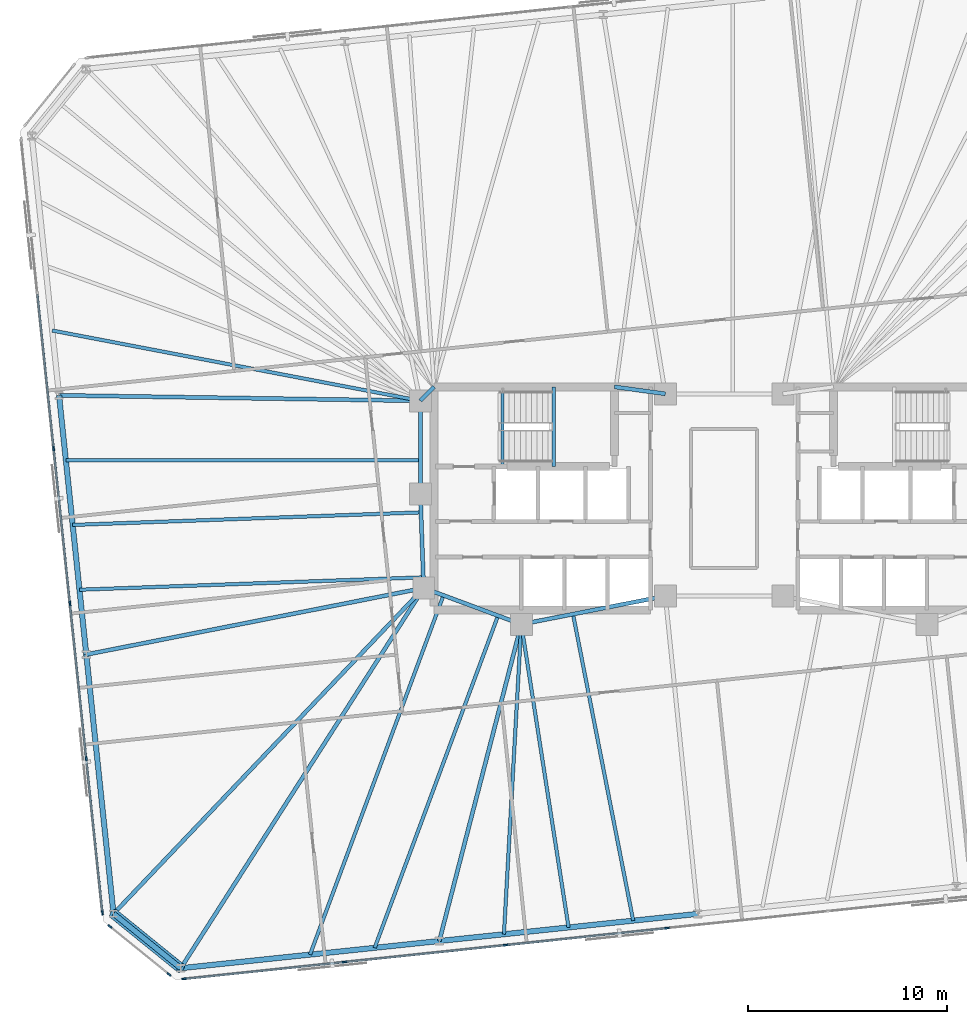
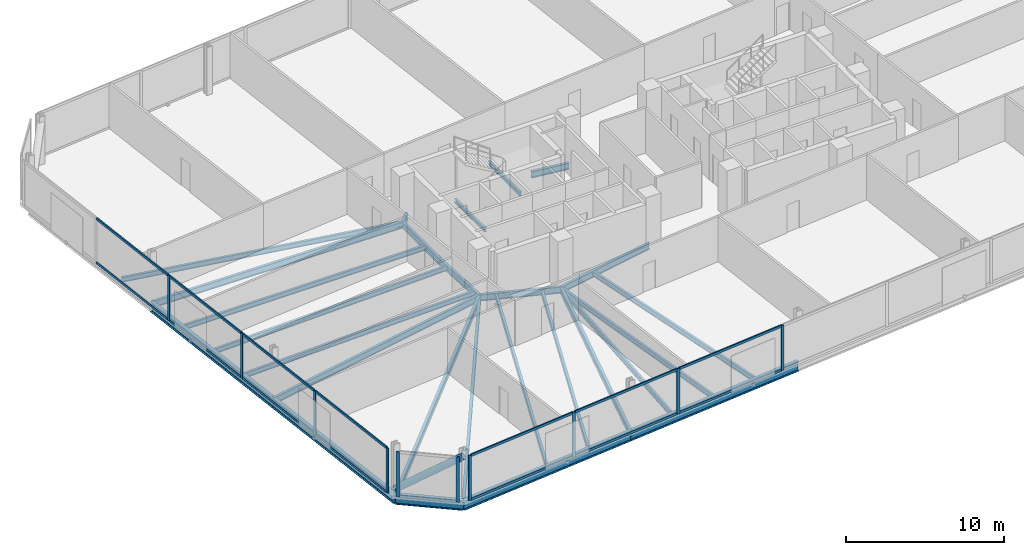
# One storey, part 6 of 18: 27 beams, 25 members, 3 elements without a shape of their own.
"""IFC4 building model written with IfcOpenShell, lengths in metres."""

from ifc_helpers import new_model, si_unit, direction, frame, origin, origin_2d, place, context, subcontext, project, spatial, rectangle, hollow_circle, i_section, extrude, material, material_profile, profile_set, type_object, element, aggregate, save


model = new_model("IFC4")

# Units and contexts
model_context = context("Model", 3, precision=1e-05, world=origin(), true_north=direction((0.0, 1.0)))
body_context = subcontext(model_context, "Body", "Model", "MODEL_VIEW")
ifc_project = project(units=[si_unit("LENGTHUNIT", "METRE"), si_unit("AREAUNIT", "SQUARE_METRE"), si_unit("VOLUMEUNIT", "CUBIC_METRE"), si_unit("PLANEANGLEUNIT", "RADIAN"), si_unit("MASSUNIT", "GRAM", prefix="KILO")], contexts=[model_context])

# Site, building, storey
site_placement = place(None, origin())
site = spatial("IfcSite", under=ifc_project, at=site_placement, CompositionType="ELEMENT")
building_placement = place(site_placement, origin())
building = spatial("IfcBuilding", under=site, at=building_placement, Name="Menara Jurai Vektor", CompositionType="ELEMENT")
storey_placement = place(building_placement, frame((0.0, 0.0, 120.699951171875)))
storey = spatial("IfcBuildingStorey", under=building, at=storey_placement, Name="L30", CompositionType="ELEMENT", Elevation=120.699951171875)

# Curtain wall, members
ifc_material_1 = material(Name="Anodised Pale Aluminium & Low-E Double Glazing", Category="aluminium")
curtain_wall_type = type_object("IfcCurtainWallType", Name="CW-BLK2", PredefinedType="NOTDEFINED", material=ifc_material_1)
curtain_wall_1_placement = place(storey_placement, origin())
curtain_wall_1 = element("IfcCurtainWall", 1, at=curtain_wall_1_placement, inside=storey, type_object=curtain_wall_type, Name="Unitised Curtain Wall L30 F01", PredefinedType="NOTDEFINED")
ifc_material_2 = material(Name="Anodised Pale Aluminium Mullion", Category="aluminium")
ifc_material_profile_1 = material_profile(ifc_material_2, rectangle(XDim=0.090087890625, YDim=0.219970703125, at=origin_2d()), Name="ALU MUL 90x220")
ifc_profile_set_1 = profile_set([ifc_material_profile_1], Name="Anodised Pale Aluminium Mullion")
member_type_1 = type_object("IfcMemberType", Name="CW-BLK2-MUL", PredefinedType="MULLION", material=ifc_profile_set_1)
member_1_placement = place(storey_placement, frame((-27.116455078125, -24.122314453125, 0.0), z_axis=(0.0, 0.0, 1.0), x_axis=(-0.104528634935, 0.994521877325, 0.0)))
member_1 = element("IfcMember", 2, at=member_1_placement, type_object=member_type_1, Name="CW-02 mullion 1", PredefinedType="MULLION", context=body_context, shape_type="SweptSolid", body=[
    extrude(rectangle(XDim=0.090087890625, YDim=0.219970703125, at=origin_2d()), origin(), (0.0, 0.0, 1.0), 3.47509765625),
])
member_2_placement = place(storey_placement, frame((-19.0634765625, -23.27587890625, 0.0), z_axis=(0.0, 0.0, 1.0), x_axis=(-0.104528634935, 0.994521877325, 0.0)))
member_2 = element("IfcMember", 3, at=member_2_placement, type_object=member_type_1, Name="CW-02 mullion 2", PredefinedType="MULLION", context=body_context, shape_type="SweptSolid", body=[
    extrude(rectangle(XDim=0.090087890625, YDim=0.219970703125, at=origin_2d()), origin(), (0.0, 0.0, 1.0), 3.47509765625),
])
member_3_placement = place(storey_placement, frame((-10.965576171875, -22.4248046875, 0.0), z_axis=(0.0, 0.0, 1.0), x_axis=(-0.104528634935, 0.994521877325, 0.0)))
member_3 = element("IfcMember", 4, at=member_3_placement, type_object=member_type_1, Name="CW-02 mullion 3", PredefinedType="MULLION", context=body_context, shape_type="SweptSolid", body=[
    extrude(rectangle(XDim=0.090087890625, YDim=0.219970703125, at=origin_2d()), origin(), (0.0, 0.0, 1.0), 3.47509765625),
])
member_4_placement = place(storey_placement, frame((-2.86767578125, -21.57373046875, 0.0), z_axis=(0.0, 0.0, 1.0), x_axis=(-0.104528634935, 0.994521877325, 0.0)))
member_4 = element("IfcMember", 5, at=member_4_placement, type_object=member_type_1, Name="CW-02 mullion 4", PredefinedType="MULLION", context=body_context, shape_type="SweptSolid", body=[
    extrude(rectangle(XDim=0.090087890625, YDim=0.219970703125, at=origin_2d()), origin(), (0.0, 0.0, 1.0), 3.47509765625),
])

curtain_wall_2_placement = place(storey_placement, origin())
curtain_wall_2 = element("IfcCurtainWall", 6, at=curtain_wall_2_placement, inside=storey, type_object=curtain_wall_type, Name="Unitised Curtain Wall L30 F07", PredefinedType="NOTDEFINED")
member_5_placement = place(storey_placement, frame((-33.66064453125, 2.50341796875, 0.0), z_axis=(0.0, 0.0, 1.0), x_axis=(0.99452177832, 0.104529576902, 0.0)))
member_5 = element("IfcMember", 7, at=member_5_placement, type_object=member_type_1, Name="CW-02 mullion 3", PredefinedType="MULLION", context=body_context, shape_type="SweptSolid", body=[
    extrude(rectangle(XDim=0.090087890625, YDim=0.219970703125, at=origin_2d()), origin(), (0.0, 0.0, 1.0), 3.47509765625),
])
member_6_placement = place(storey_placement, frame((-32.84228515625, -5.28173828125, 0.0), z_axis=(0.0, 0.0, 1.0), x_axis=(0.99452177832, 0.104529576902, 0.0)))
member_6 = element("IfcMember", 8, at=member_6_placement, type_object=member_type_1, Name="CW-02 mullion 4", PredefinedType="MULLION", context=body_context, shape_type="SweptSolid", body=[
    extrude(rectangle(XDim=0.090087890625, YDim=0.219970703125, at=origin_2d()), origin(), (0.0, 0.0, 1.0), 3.47509765625),
])
member_7_placement = place(storey_placement, frame((-32.024169921875, -13.06689453125, 0.0), z_axis=(0.0, 0.0, 1.0), x_axis=(0.99452177832, 0.104529576902, 0.0)))
member_7 = element("IfcMember", 9, at=member_7_placement, type_object=member_type_1, Name="CW-02 mullion 5", PredefinedType="MULLION", context=body_context, shape_type="SweptSolid", body=[
    extrude(rectangle(XDim=0.090087890625, YDim=0.219970703125, at=origin_2d()), origin(), (0.0, 0.0, 1.0), 3.47509765625),
])
member_8_placement = place(storey_placement, frame((-31.21044921875, -20.80712890625, 0.0), z_axis=(0.0, 0.0, 1.0), x_axis=(0.99452177832, 0.104529576902, 0.0)))
member_8 = element("IfcMember", 10, at=member_8_placement, type_object=member_type_1, Name="CW-02 mullion 6", PredefinedType="MULLION", context=body_context, shape_type="SweptSolid", body=[
    extrude(rectangle(XDim=0.090087890625, YDim=0.219970703125, at=origin_2d()), origin(), (0.0, 0.0, 1.0), 3.47509765625),
])

curtain_wall_3_placement = place(storey_placement, origin())
curtain_wall_3 = element("IfcCurtainWall", 11, at=curtain_wall_3_placement, inside=storey, type_object=curtain_wall_type, Name="Unitised Curtain Wall L30 F08", PredefinedType="NOTDEFINED")
member_9_placement = place(storey_placement, frame((-30.8359375, -21.497314453125, 0.0), z_axis=(0.0, 0.0, 1.0), x_axis=(0.629313085353, 0.777151877437, 0.0)))
member_9 = element("IfcMember", 12, at=member_9_placement, type_object=member_type_1, Name="CW-02 mullion 1", PredefinedType="MULLION", context=body_context, shape_type="SweptSolid", body=[
    extrude(rectangle(XDim=0.090087890625, YDim=0.219970703125, at=origin_2d()), origin(), (0.0, 0.0, 1.0), 3.47509765625),
])
member_10_placement = place(storey_placement, frame((-27.869384765625, -23.8994140625, 0.0), z_axis=(0.0, 0.0, 1.0), x_axis=(0.629313085353, 0.777151877437, 0.0)))
member_10 = element("IfcMember", 13, at=member_10_placement, type_object=member_type_1, Name="CW-02 mullion 2", PredefinedType="MULLION", context=body_context, shape_type="SweptSolid", body=[
    extrude(rectangle(XDim=0.090087890625, YDim=0.219970703125, at=origin_2d()), origin(), (0.0, 0.0, 1.0), 3.47509765625),
])
aggregate(curtain_wall_3, [member_9, member_10])

# Member
ifc_material_3 = material(Name="Anodised Pale Aluminium Transom", Category="aluminium")
ifc_material_profile_2 = material_profile(ifc_material_3, rectangle(XDim=0.090087890625, YDim=0.18505859375, at=origin_2d()), Name="ALU TRN 90x185")
ifc_profile_set_2 = profile_set([ifc_material_profile_2], Name="Anodised Pale Aluminium Transom")
member_type_2 = type_object("IfcMemberType", Name="CW-BLK2-TRN", PredefinedType="USERDEFINED", material=ifc_profile_set_2)
member_11_placement = place(storey_placement, frame((-27.07177734375, -24.11767578125, 0.045166015625), z_axis=(0.994523147415, 0.10451655015, 0.0), x_axis=(-0.10451655015, 0.994523147415, 0.0)))
member_11 = element("IfcMember", 14, at=member_11_placement, type_object=member_type_2, Name="CW-02 transom 1.1", ObjectType="TRANSOM", PredefinedType="USERDEFINED", context=body_context, shape_type="SweptSolid", body=[
    extrude(rectangle(XDim=0.090087890625, YDim=0.18505859375, at=origin_2d()), origin(), (0.0, 0.0, 1.0), 8.007568359375),
])

member_12_placement = place(storey_placement, frame((-27.07177734375, -24.11767578125, 3.429931640625), z_axis=(0.994523147415, 0.10451655015, 0.0), x_axis=(-0.10451655015, 0.994523147415, 0.0)))
member_12 = element("IfcMember", 15, at=member_12_placement, type_object=member_type_2, Name="CW-02 transom 1.2", ObjectType="TRANSOM", PredefinedType="USERDEFINED", context=body_context, shape_type="SweptSolid", body=[
    extrude(rectangle(XDim=0.090087890625, YDim=0.18505859375, at=origin_2d()), origin(), (0.0, 0.0, 1.0), 8.007568359375),
])

member_13_placement = place(storey_placement, frame((-19.0185546875, -23.271240234375, 0.045166015625), z_axis=(0.994520726373, 0.10453958492, 0.0), x_axis=(-0.10453958492, 0.994520726373, 0.0)))
member_13 = element("IfcMember", 16, at=member_13_placement, type_object=member_type_2, Name="CW-02 transom 2.1", ObjectType="TRANSOM", PredefinedType="USERDEFINED", context=body_context, shape_type="SweptSolid", body=[
    extrude(rectangle(XDim=0.090087890625, YDim=0.18505859375, at=origin_2d()), origin(), (0.0, 0.0, 1.0), 8.052490234375),
])

member_14_placement = place(storey_placement, frame((-19.0185546875, -23.271240234375, 3.429931640625), z_axis=(0.994520726373, 0.10453958492, 0.0), x_axis=(-0.10453958492, 0.994520726373, 0.0)))
member_14 = element("IfcMember", 17, at=member_14_placement, type_object=member_type_2, Name="CW-02 transom 2.2", ObjectType="TRANSOM", PredefinedType="USERDEFINED", context=body_context, shape_type="SweptSolid", body=[
    extrude(rectangle(XDim=0.090087890625, YDim=0.18505859375, at=origin_2d()), origin(), (0.0, 0.0, 1.0), 8.052490234375),
])

member_15_placement = place(storey_placement, frame((-10.920654296875, -22.420166015625, 0.045166015625), z_axis=(0.994520726373, 0.10453958492, 0.0), x_axis=(-0.10453958492, 0.994520726373, 0.0)))
member_15 = element("IfcMember", 18, at=member_15_placement, type_object=member_type_2, Name="CW-02 transom 3.1", ObjectType="TRANSOM", PredefinedType="USERDEFINED", context=body_context, shape_type="SweptSolid", body=[
    extrude(rectangle(XDim=0.090087890625, YDim=0.18505859375, at=origin_2d()), origin(), (0.0, 0.0, 1.0), 8.052490234375),
])

member_16_placement = place(storey_placement, frame((-10.920654296875, -22.420166015625, 3.429931640625), z_axis=(0.994520726373, 0.10453958492, 0.0), x_axis=(-0.10453958492, 0.994520726373, 0.0)))
member_16 = element("IfcMember", 19, at=member_16_placement, type_object=member_type_2, Name="CW-02 transom 3.2", ObjectType="TRANSOM", PredefinedType="USERDEFINED", context=body_context, shape_type="SweptSolid", body=[
    extrude(rectangle(XDim=0.090087890625, YDim=0.18505859375, at=origin_2d()), origin(), (0.0, 0.0, 1.0), 8.052490234375),
])

aggregate(curtain_wall_1, [member_1, member_2, member_3, member_4, member_11, member_12, member_13, member_14, member_15, member_16])

member_17_placement = place(storey_placement, frame((-34.47412109375, 10.243896484375, 0.045166015625), z_axis=(0.104525476786, -0.994522209256, 0.0), x_axis=(0.994522209256, 0.104525476786, 0.0)))
member_17 = element("IfcMember", 20, at=member_17_placement, type_object=member_type_2, Name="CW-02 transom 2.1", ObjectType="TRANSOM", PredefinedType="USERDEFINED", context=body_context, shape_type="SweptSolid", body=[
    extrude(rectangle(XDim=0.090087890625, YDim=0.18505859375, at=origin_2d()), origin(), (0.0, 0.0, 1.0), 7.73828125),
])

member_18_placement = place(storey_placement, frame((-34.47412109375, 10.243896484375, 3.429931640625), z_axis=(0.104525476786, -0.994522209256, 0.0), x_axis=(0.994522209256, 0.104525476786, 0.0)))
member_18 = element("IfcMember", 21, at=member_18_placement, type_object=member_type_2, Name="CW-02 transom 2.2", ObjectType="TRANSOM", PredefinedType="USERDEFINED", context=body_context, shape_type="SweptSolid", body=[
    extrude(rectangle(XDim=0.090087890625, YDim=0.18505859375, at=origin_2d()), origin(), (0.0, 0.0, 1.0), 7.73828125),
])

member_19_placement = place(storey_placement, frame((-33.65576171875, 2.458740234375, 0.045166015625), z_axis=(0.104525476786, -0.994522209256, 0.0), x_axis=(0.994522209256, 0.104525476786, 0.0)))
member_19 = element("IfcMember", 22, at=member_19_placement, type_object=member_type_2, Name="CW-02 transom 3.1", ObjectType="TRANSOM", PredefinedType="USERDEFINED", context=body_context, shape_type="SweptSolid", body=[
    extrude(rectangle(XDim=0.090087890625, YDim=0.18505859375, at=origin_2d()), origin(), (0.0, 0.0, 1.0), 7.73828125),
])

member_20_placement = place(storey_placement, frame((-33.65576171875, 2.458740234375, 3.429931640625), z_axis=(0.104525476786, -0.994522209256, 0.0), x_axis=(0.994522209256, 0.104525476786, 0.0)))
member_20 = element("IfcMember", 23, at=member_20_placement, type_object=member_type_2, Name="CW-02 transom 3.2", ObjectType="TRANSOM", PredefinedType="USERDEFINED", context=body_context, shape_type="SweptSolid", body=[
    extrude(rectangle(XDim=0.090087890625, YDim=0.18505859375, at=origin_2d()), origin(), (0.0, 0.0, 1.0), 7.73828125),
])

member_21_placement = place(storey_placement, frame((-32.837646484375, -5.326416015625, 0.045166015625), z_axis=(0.104525476786, -0.994522209256, 0.0), x_axis=(0.994522209256, 0.104525476786, 0.0)))
member_21 = element("IfcMember", 24, at=member_21_placement, type_object=member_type_2, Name="CW-02 transom 4.1", ObjectType="TRANSOM", PredefinedType="USERDEFINED", context=body_context, shape_type="SweptSolid", body=[
    extrude(rectangle(XDim=0.090087890625, YDim=0.18505859375, at=origin_2d()), origin(), (0.0, 0.0, 1.0), 7.73828125),
])

member_22_placement = place(storey_placement, frame((-32.837646484375, -5.326416015625, 3.429931640625), z_axis=(0.104525476786, -0.994522209256, 0.0), x_axis=(0.994522209256, 0.104525476786, 0.0)))
member_22 = element("IfcMember", 25, at=member_22_placement, type_object=member_type_2, Name="CW-02 transom 4.2", ObjectType="TRANSOM", PredefinedType="USERDEFINED", context=body_context, shape_type="SweptSolid", body=[
    extrude(rectangle(XDim=0.090087890625, YDim=0.18505859375, at=origin_2d()), origin(), (0.0, 0.0, 1.0), 7.73828125),
])

member_23_placement = place(storey_placement, frame((-32.019287109375, -13.111572265625, 0.045166015625), z_axis=(0.104536105602, -0.994521092097, 0.0), x_axis=(0.994521092097, 0.104536105602, 0.0)))
member_23 = element("IfcMember", 26, at=member_23_placement, type_object=member_type_2, Name="CW-02 transom 5.1", ObjectType="TRANSOM", PredefinedType="USERDEFINED", context=body_context, shape_type="SweptSolid", body=[
    extrude(rectangle(XDim=0.090087890625, YDim=0.18505859375, at=origin_2d()), origin(), (0.0, 0.0, 1.0), 7.693115234375),
])

member_24_placement = place(storey_placement, frame((-32.019287109375, -13.111572265625, 3.429931640625), z_axis=(0.104536105602, -0.994521092097, 0.0), x_axis=(0.994521092097, 0.104536105602, 0.0)))
member_24 = element("IfcMember", 27, at=member_24_placement, type_object=member_type_2, Name="CW-02 transom 5.2", ObjectType="TRANSOM", PredefinedType="USERDEFINED", context=body_context, shape_type="SweptSolid", body=[
    extrude(rectangle(XDim=0.090087890625, YDim=0.18505859375, at=origin_2d()), origin(), (0.0, 0.0, 1.0), 7.693115234375),
])

aggregate(curtain_wall_2, [member_5, member_6, member_7, member_8, member_17, member_18, member_19, member_20, member_21, member_22, member_23, member_24])

# Beams
ifc_material_4 = material(Name="Steel S355", Category="steel")
ifc_material_profile_3 = material_profile(ifc_material_4, i_section(OverallWidth=0.199951171875, OverallDepth=0.5, WebThickness=0.011962890625, FlangeThickness=0.02001953125, at=origin_2d()), Name="PG 500x200x96")
ifc_profile_set_3 = profile_set([ifc_material_profile_3], Name="Steel S355")
beam_type_1 = type_object("IfcBeamType", Name="STR-BM-500", PredefinedType="BEAM", material=ifc_profile_set_3)
beam_1_placement = place(storey_placement, frame((-15.25, 4.89990234375, -0.474853515625), z_axis=(0.701871936926, 0.712303154672, 0.0), x_axis=(-0.712303154672, 0.701871936926, 0.0)))
element("IfcBeam", 28, at=beam_1_placement, inside=storey, type_object=beam_type_1, Name="Core Ring Header Girder L30-CHW-N1", PredefinedType="BEAM", context=body_context, shape_type="SweptSolid", body=[
    extrude(i_section(OverallWidth=0.199951171875, OverallDepth=0.5, WebThickness=0.011962890625, FlangeThickness=0.02001953125, at=origin_2d()), origin(), (0.0, 0.0, 1.0), 0.98291015625),
])
beam_2_placement = place(storey_placement, frame((-5.5, 5.60009765625, -0.474853515625), z_axis=(0.990706818608, -0.136014703483, 0.0), x_axis=(0.136014703483, 0.990706818608, 0.0)))
element("IfcBeam", 29, at=beam_2_placement, inside=storey, type_object=beam_type_1, Name="Core Ring Header Girder L30-CHW-N2", PredefinedType="BEAM", context=body_context, shape_type="SweptSolid", body=[
    extrude(i_section(OverallWidth=0.199951171875, OverallDepth=0.5, WebThickness=0.011962890625, FlangeThickness=0.02001953125, at=origin_2d()), origin(), (0.0, 0.0, 1.0), 2.573974609375),
])
beam_3_placement = place(storey_placement, frame((-15.25, 0.219970703125, -0.474853515625), z_axis=(0.0, 1.0, 0.0), x_axis=(-1.0, 0.0, 0.0)))
element("IfcBeam", 30, at=beam_3_placement, inside=storey, type_object=beam_type_1, Name="Core Ring Header Girder L30-CHW-W1", PredefinedType="BEAM", context=body_context, shape_type="SweptSolid", body=[
    extrude(i_section(OverallWidth=0.199951171875, OverallDepth=0.5, WebThickness=0.011962890625, FlangeThickness=0.02001953125, at=origin_2d()), origin(), (0.0, 0.0, 1.0), 4.679931640625),
])
beam_4_placement = place(storey_placement, frame((-15.080078125, -4.5, -0.474853515625), z_axis=(-0.035977314146, 0.999352606874, 0.0), x_axis=(-0.999352606874, -0.035977314146, 0.0)))
element("IfcBeam", 31, at=beam_4_placement, inside=storey, type_object=beam_type_1, Name="Core Ring Header Girder L30-CHW-W2", PredefinedType="BEAM", context=body_context, shape_type="SweptSolid", body=[
    extrude(i_section(OverallWidth=0.199951171875, OverallDepth=0.5, WebThickness=0.011962890625, FlangeThickness=0.02001953125, at=origin_2d()), origin(), (0.0, 0.0, 1.0), 4.72314453125),
])
beam_5_placement = place(storey_placement, frame((-15.080078125, -4.5, -0.474853515625), z_axis=(0.937424400887, -0.348188874925, 0.0), x_axis=(0.348188874925, 0.937424400887, 0.0)))
element("IfcBeam", 32, at=beam_5_placement, inside=storey, type_object=beam_type_1, Name="Core Ring Header Girder L30-CHW-S1", PredefinedType="BEAM", context=body_context, shape_type="SweptSolid", body=[
    extrude(i_section(OverallWidth=0.199951171875, OverallDepth=0.5, WebThickness=0.011962890625, FlangeThickness=0.02001953125, at=origin_2d()), origin(), (0.0, 0.0, 1.0), 5.227294921875),
])
beam_6_placement = place(storey_placement, frame((-10.179931640625, -6.320068359375, -0.474853515625), z_axis=(0.981249044334, 0.192744164614, 0.0), x_axis=(-0.192744164614, 0.981249044334, 0.0)))
element("IfcBeam", 33, at=beam_6_placement, inside=storey, type_object=beam_type_1, Name="Core Ring Header Girder L30-CHW-S2", PredefinedType="BEAM", context=body_context, shape_type="SweptSolid", body=[
    extrude(i_section(OverallWidth=0.199951171875, OverallDepth=0.5, WebThickness=0.011962890625, FlangeThickness=0.02001953125, at=origin_2d()), origin(), (0.0, 0.0, 1.0), 7.3681640625),
])
beam_7_placement = place(storey_placement, frame((-27.2763671875, -23.586181640625, -0.474853515625), z_axis=(0.538462629542, 0.842649391258, 0.0), x_axis=(-0.842649391258, 0.538462629542, 0.0)))
element("IfcBeam", 34, at=beam_7_placement, inside=storey, type_object=beam_type_1, Name="Radial Floor Girder L30-S1", PredefinedType="BEAM", context=body_context, shape_type="SweptSolid", body=[
    extrude(i_section(OverallWidth=0.199951171875, OverallDepth=0.5, WebThickness=0.011962890625, FlangeThickness=0.02001953125, at=origin_2d()), origin(), (0.0, 0.0, 1.0), 22.650146484375),
])
beam_8_placement = place(storey_placement, frame((-14.296630859375, -22.221923828125, -0.474853515625), z_axis=(0.250619644892, 0.968085633399, 0.0), x_axis=(-0.968085633399, 0.250619644892, 0.0)))
element("IfcBeam", 35, at=beam_8_placement, inside=storey, type_object=beam_type_1, Name="Radial Floor Girder L30-S2", PredefinedType="BEAM", context=body_context, shape_type="SweptSolid", body=[
    extrude(i_section(OverallWidth=0.199951171875, OverallDepth=0.5, WebThickness=0.011962890625, FlangeThickness=0.02001953125, at=origin_2d()), origin(), (0.0, 0.0, 1.0), 16.426025390625),
])
beam_9_placement = place(storey_placement, frame((-33.38818359375, 5.175048828125, -0.474853515625), z_axis=(0.999884963566, -0.015167716827, 0.0), x_axis=(0.015167716827, 0.999884963566, 0.0)))
element("IfcBeam", 36, at=beam_9_placement, inside=storey, type_object=beam_type_1, Name="Radial Floor Girder L30-W2", PredefinedType="BEAM", context=body_context, shape_type="SweptSolid", body=[
    extrude(i_section(OverallWidth=0.199951171875, OverallDepth=0.5, WebThickness=0.011962890625, FlangeThickness=0.02001953125, at=origin_2d()), origin(), (0.0, 0.0, 1.0), 18.140380859375),
])
beam_10_placement = place(storey_placement, frame((-32.0205078125, -7.83837890625, -0.474853515625), z_axis=(0.98113039493, 0.193347221714, 0.0), x_axis=(-0.193347221714, 0.98113039493, 0.0)))
element("IfcBeam", 37, at=beam_10_placement, inside=storey, type_object=beam_type_1, Name="Radial Floor Girder L30-W3", PredefinedType="BEAM", context=body_context, shape_type="SweptSolid", body=[
    extrude(i_section(OverallWidth=0.199951171875, OverallDepth=0.5, WebThickness=0.011962890625, FlangeThickness=0.02001953125, at=origin_2d()), origin(), (0.0, 0.0, 1.0), 17.266357421875),
])
beam_11_placement = place(storey_placement, frame((-30.65283203125, -20.85205078125, -0.474853515625), z_axis=(0.689640593718, 0.724151815227, 0.0), x_axis=(-0.724151815227, 0.689640593718, 0.0)))
element("IfcBeam", 38, at=beam_11_placement, inside=storey, type_object=beam_type_1, Name="Radial Floor Girder L30-W4", PredefinedType="BEAM", context=body_context, shape_type="SweptSolid", body=[
    extrude(i_section(OverallWidth=0.199951171875, OverallDepth=0.5, WebThickness=0.011962890625, FlangeThickness=0.02001953125, at=origin_2d()), origin(), (0.0, 0.0, 1.0), 22.5810546875),
])

# Member
ifc_material_5 = material(Name="Steel S460", Category="steel")
ifc_material_profile_4 = material_profile(ifc_material_5, hollow_circle(Radius=0.25390625, WallThickness=0.02001953125, at=origin_2d()), Name="CHS 508x20")
ifc_profile_set_4 = profile_set([ifc_material_profile_4], Name="Steel S460")
member_type_3 = type_object("IfcMemberType", Name="STR-BR-508", PredefinedType="BRACE", material=ifc_profile_set_4)
member_25_placement = place(storey_placement, frame((-30.65283203125, -20.85205078125, 0.150146484375), z_axis=(0.641240080956, -0.51925145818, 0.564968213047), x_axis=(0.629309762217, 0.777154568396, 0.0)))
element("IfcMember", 39, at=member_25_placement, inside=storey, type_object=member_type_3, Name="Exoskeleton Corner Brace L30-4", PredefinedType="BRACE", context=body_context, shape_type="SweptSolid", body=[
    extrude(hollow_circle(Radius=0.25390625, WallThickness=0.02001953125, at=origin_2d()), origin(), (0.0, 0.0, 1.0), 5.265625),
])

# Beams
ifc_material_profile_5 = material_profile(ifc_material_4, i_section(OverallWidth=0.175048828125, OverallDepth=0.3798828125, WebThickness=0.010009765625, FlangeThickness=0.014892578125, at=origin_2d()), Name="PG 380x175x58")
ifc_profile_set_5 = profile_set([ifc_material_profile_5], Name="Steel S355")
beam_type_2 = type_object("IfcBeamType", Name="STR-JS-380", PredefinedType="JOIST", material=ifc_profile_set_5)
beam_12_placement = place(storey_placement, frame((-20.78662109375, -22.904052734375, -0.4150390625), z_axis=(0.34819162731, 0.93742337856, 0.0), x_axis=(-0.93742337856, 0.34819162731, 0.0)))
element("IfcBeam", 40, at=beam_12_placement, inside=storey, type_object=beam_type_2, Name="Radial Secondary Floor Joist L30-JS01", PredefinedType="JOIST", context=body_context, shape_type="SweptSolid", body=[
    extrude(i_section(OverallWidth=0.175048828125, OverallDepth=0.3798828125, WebThickness=0.010009765625, FlangeThickness=0.014892578125, at=origin_2d()), origin(), (0.0, 0.0, 1.0), 19.2392578125),
])
beam_13_placement = place(storey_placement, frame((-17.54150390625, -22.56298828125, -0.4150390625), z_axis=(0.348184462185, 0.937426039906, 0.0), x_axis=(-0.937426039906, 0.348184462185, 0.0)))
element("IfcBeam", 41, at=beam_13_placement, inside=storey, type_object=beam_type_2, Name="Radial Secondary Floor Joist L30-JS02", PredefinedType="JOIST", context=body_context, shape_type="SweptSolid", body=[
    extrude(i_section(OverallWidth=0.175048828125, OverallDepth=0.3798828125, WebThickness=0.010009765625, FlangeThickness=0.014892578125, at=origin_2d()), origin(), (0.0, 0.0, 1.0), 17.789794921875),
])
beam_14_placement = place(storey_placement, frame((-11.0517578125, -21.880859375, -0.4150390625), z_axis=(0.055939382302, 0.998434166837, 0.0), x_axis=(-0.998434166837, 0.055939382302, 0.0)))
element("IfcBeam", 42, at=beam_14_placement, inside=storey, type_object=beam_type_2, Name="Radial Secondary Floor Joist L30-JS03", PredefinedType="JOIST", context=body_context, shape_type="SweptSolid", body=[
    extrude(i_section(OverallWidth=0.175048828125, OverallDepth=0.3798828125, WebThickness=0.010009765625, FlangeThickness=0.014892578125, at=origin_2d()), origin(), (0.0, 0.0, 1.0), 15.585205078125),
])
beam_15_placement = place(storey_placement, frame((-7.806884765625, -21.539794921875, -0.4150390625), z_axis=(-0.154057765645, 0.988061842622, 0.0), x_axis=(-0.988061842622, -0.154057765645, 0.0)))
element("IfcBeam", 43, at=beam_15_placement, inside=storey, type_object=beam_type_2, Name="Radial Secondary Floor Joist L30-JS04", PredefinedType="JOIST", context=body_context, shape_type="SweptSolid", body=[
    extrude(i_section(OverallWidth=0.175048828125, OverallDepth=0.3798828125, WebThickness=0.010009765625, FlangeThickness=0.014892578125, at=origin_2d()), origin(), (0.0, 0.0, 1.0), 15.403564453125),
])
beam_16_placement = place(storey_placement, frame((-4.56201171875, -21.19873046875, -0.4150390625), z_axis=(-0.19271398667, 0.981254971627, 0.0), x_axis=(-0.981254971627, -0.19271398667, 0.0)))
element("IfcBeam", 44, at=beam_16_placement, inside=storey, type_object=beam_type_2, Name="Radial Secondary Floor Joist L30-JS05", PredefinedType="JOIST", context=body_context, shape_type="SweptSolid", body=[
    extrude(i_section(OverallWidth=0.175048828125, OverallDepth=0.3798828125, WebThickness=0.010009765625, FlangeThickness=0.014892578125, at=origin_2d()), origin(), (0.0, 0.0, 1.0), 15.682373046875),
])
beam_17_placement = place(storey_placement, frame((-33.730224609375, 8.428466796875, -0.4150390625), z_axis=(0.982255215221, -0.187549172674, 0.0), x_axis=(0.187549172674, 0.982255215221, 0.0)))
element("IfcBeam", 45, at=beam_17_placement, inside=storey, type_object=beam_type_2, Name="Radial Secondary Floor Joist L30-JS38", PredefinedType="JOIST", context=body_context, shape_type="SweptSolid", body=[
    extrude(i_section(OverallWidth=0.175048828125, OverallDepth=0.3798828125, WebThickness=0.010009765625, FlangeThickness=0.014892578125, at=origin_2d()), origin(), (0.0, 0.0, 1.0), 18.81396484375),
])
beam_18_placement = place(storey_placement, frame((-33.04638671875, 1.921630859375, -0.4150390625), z_axis=(1.0, 0.0, 0.0), x_axis=(0.0, 1.0, 0.0)))
element("IfcBeam", 46, at=beam_18_placement, inside=storey, type_object=beam_type_2, Name="Radial Secondary Floor Joist L30-JS39", PredefinedType="JOIST", context=body_context, shape_type="SweptSolid", body=[
    extrude(i_section(OverallWidth=0.175048828125, OverallDepth=0.3798828125, WebThickness=0.010009765625, FlangeThickness=0.014892578125, at=origin_2d()), origin(), (0.0, 0.0, 1.0), 17.79638671875),
])
beam_19_placement = place(storey_placement, frame((-32.704345703125, -1.331787109375, -0.4150390625), z_axis=(0.999351948809, 0.035995588769, 0.0), x_axis=(-0.035995588769, 0.999351948809, 0.0)))
element("IfcBeam", 47, at=beam_19_placement, inside=storey, type_object=beam_type_2, Name="Radial Secondary Floor Joist L30-JS40", PredefinedType="JOIST", context=body_context, shape_type="SweptSolid", body=[
    extrude(i_section(OverallWidth=0.175048828125, OverallDepth=0.3798828125, WebThickness=0.010009765625, FlangeThickness=0.014892578125, at=origin_2d()), origin(), (0.0, 0.0, 1.0), 17.498779296875),
])
beam_20_placement = place(storey_placement, frame((-32.362548828125, -4.5849609375, -0.4150390625), z_axis=(0.999352405578, 0.03598290517, 0.0), x_axis=(-0.03598290517, 0.999352405578, 0.0)))
element("IfcBeam", 48, at=beam_20_placement, inside=storey, type_object=beam_type_2, Name="Radial Secondary Floor Joist L30-JS41", PredefinedType="JOIST", context=body_context, shape_type="SweptSolid", body=[
    extrude(i_section(OverallWidth=0.175048828125, OverallDepth=0.3798828125, WebThickness=0.010009765625, FlangeThickness=0.014892578125, at=origin_2d()), origin(), (0.0, 0.0, 1.0), 17.2744140625),
])
ifc_material_profile_6 = material_profile(ifc_material_4, i_section(OverallWidth=0.1650390625, OverallDepth=0.302978515625, WebThickness=0.006103515625, FlangeThickness=0.010009765625, FilletRadius=0.009033203125, at=origin_2d()), Name="UKB 305x165x40")
ifc_profile_set_6 = profile_set([ifc_material_profile_6], Name="Steel S355")
beam_type_3 = type_object("IfcBeamType", Name="STR-LN-305", PredefinedType="LINTEL", material=ifc_profile_set_6)
beam_21_placement = place(storey_placement, frame((-11.1201171875, 1.60009765625, -0.37646484375), z_axis=(0.0, 1.0, 0.0), x_axis=(-1.0, 0.0, 0.0)))
element("IfcBeam", 49, at=beam_21_placement, inside=storey, type_object=beam_type_3, Name="Stair Well Floor Trimmer ST1 L30", PredefinedType="LINTEL", context=body_context, shape_type="SweptSolid", body=[
    extrude(i_section(OverallWidth=0.1650390625, OverallDepth=0.302978515625, WebThickness=0.006103515625, FlangeThickness=0.010009765625, FilletRadius=0.009033203125, at=origin_2d()), origin(), (0.0, 0.0, 1.0), 3.81982421875),
])
beam_22_placement = place(storey_placement, frame((-8.550048828125, 1.60009765625, 1.49853515625), z_axis=(0.0, 1.0, 0.0), x_axis=(-1.0, 0.0, 0.0)))
element("IfcBeam", 50, at=beam_22_placement, inside=storey, type_object=beam_type_3, Name="Stair Half-Landing Nosing Trimmer ST1-1 L30", PredefinedType="LINTEL", context=body_context, shape_type="SweptSolid", body=[
    extrude(i_section(OverallWidth=0.1650390625, OverallDepth=0.302978515625, WebThickness=0.006103515625, FlangeThickness=0.010009765625, FilletRadius=0.009033203125, at=origin_2d()), origin(), (0.0, 0.0, 1.0), 4.0),
])
ifc_material_profile_7 = material_profile(ifc_material_5, i_section(OverallWidth=0.26806640625, OverallDepth=0.77001953125, WebThickness=0.01611328125, FlangeThickness=0.02490234375, FilletRadius=0.01708984375, at=origin_2d()), Name="UKB 762x267x197")
ifc_profile_set_7 = profile_set([ifc_material_profile_7], Name="Steel S460")
beam_type_4 = type_object("IfcBeamType", Name="STR-SP-762", PredefinedType="SPANDREL", material=ifc_profile_set_7)
for number, where, z_axis, x_axis, name in (
    (51, (-27.2763671875, -23.586181640625, -0.60986328125), (0.994521636083, 0.104530930169, 0.0), (-0.104530930169, 0.994521636083, 0.0), "Exoskeleton Spandrel Beam L30-01"),
    (52, (-14.296630859375, -22.221923828125, -0.60986328125), (0.994523580592, 0.104512428191, 0.0), (-0.104512428191, 0.994523580592, 0.0), "Exoskeleton Spandrel Beam L30-02"),
):
    element("IfcBeam", number, at=place(storey_placement, frame(where, z_axis=z_axis, x_axis=x_axis)), inside=storey, type_object=beam_type_4, Name=name, PredefinedType="SPANDREL", context=body_context, shape_type="SweptSolid", body=[
        extrude(i_section(OverallWidth=0.26806640625, OverallDepth=0.77001953125, WebThickness=0.01611328125, FlangeThickness=0.02490234375, FilletRadius=0.01708984375, at=origin_2d()), origin(), (0.0, 0.0, 1.0), 13.05126953125),
    ])
beam_23_placement = place(storey_placement, frame((-33.38818359375, 5.175048828125, -0.60986328125), z_axis=(0.104521615846, -0.994522615037, 0.0), x_axis=(0.994522615037, 0.104521615846, 0.0)))
element("IfcBeam", 53, at=beam_23_placement, inside=storey, type_object=beam_type_4, Name="Exoskeleton Spandrel Beam L30-18", PredefinedType="SPANDREL", context=body_context, shape_type="SweptSolid", body=[
    extrude(i_section(OverallWidth=0.26806640625, OverallDepth=0.77001953125, WebThickness=0.01611328125, FlangeThickness=0.02490234375, FilletRadius=0.01708984375, at=origin_2d()), origin(), (0.0, 0.0, 1.0), 13.085205078125),
])
beam_24_placement = place(storey_placement, frame((-32.0205078125, -7.83837890625, -0.60986328125), z_axis=(0.104519676409, -0.994522818865, 0.0), x_axis=(0.994522818865, 0.104519676409, 0.0)))
element("IfcBeam", 54, at=beam_24_placement, inside=storey, type_object=beam_type_4, Name="Exoskeleton Spandrel Beam L30-19", PredefinedType="SPANDREL", context=body_context, shape_type="SweptSolid", body=[
    extrude(i_section(OverallWidth=0.26806640625, OverallDepth=0.77001953125, WebThickness=0.01611328125, FlangeThickness=0.02490234375, FilletRadius=0.01708984375, at=origin_2d()), origin(), (0.0, 0.0, 1.0), 13.08544921875),
])
beam_25_placement = place(storey_placement, frame((-30.65283203125, -20.85205078125, -0.60986328125), z_axis=(0.777154568396, -0.629309762217, 0.0), x_axis=(0.629309762217, 0.777154568396, 0.0)))
element("IfcBeam", 55, at=beam_25_placement, inside=storey, type_object=beam_type_4, Name="Exoskeleton Spandrel Beam L30-20", PredefinedType="SPANDREL", context=body_context, shape_type="SweptSolid", body=[
    extrude(i_section(OverallWidth=0.26806640625, OverallDepth=0.77001953125, WebThickness=0.01611328125, FlangeThickness=0.02490234375, FilletRadius=0.01708984375, at=origin_2d()), origin(), (0.0, 0.0, 1.0), 4.3447265625),
])

save(model, "model.ifc")
